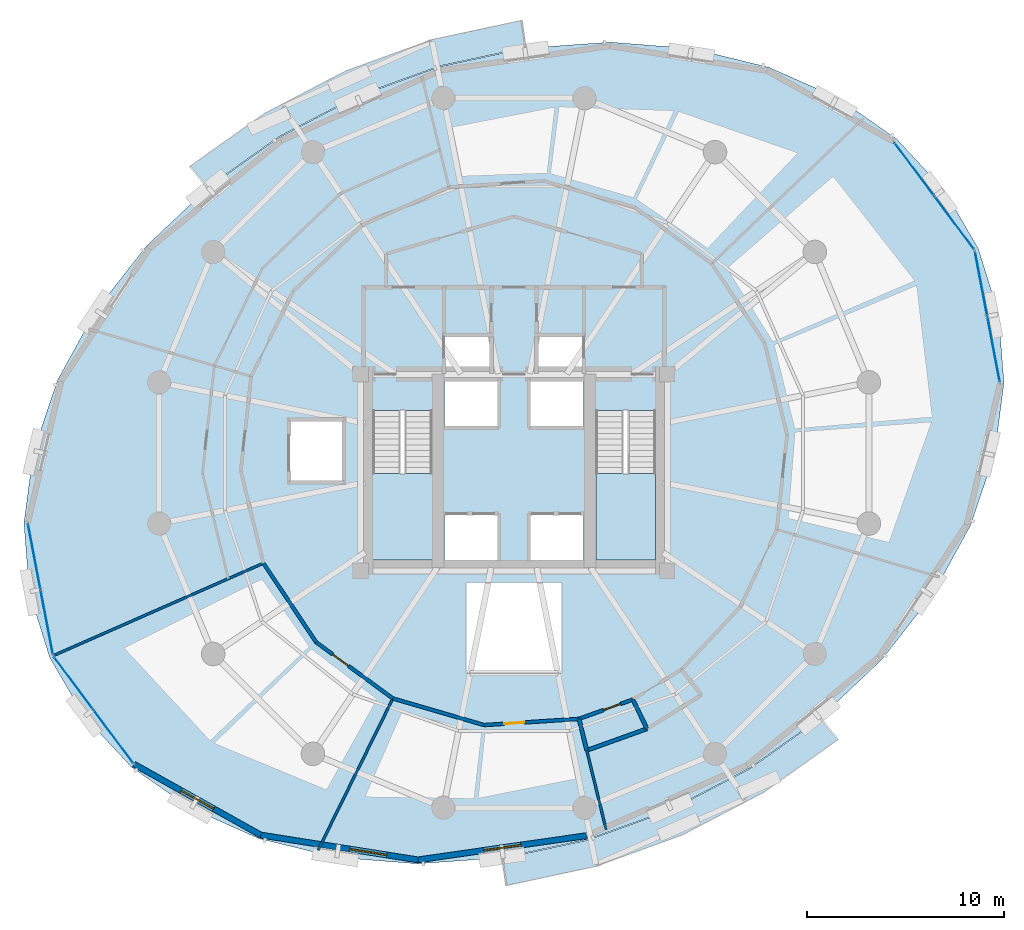
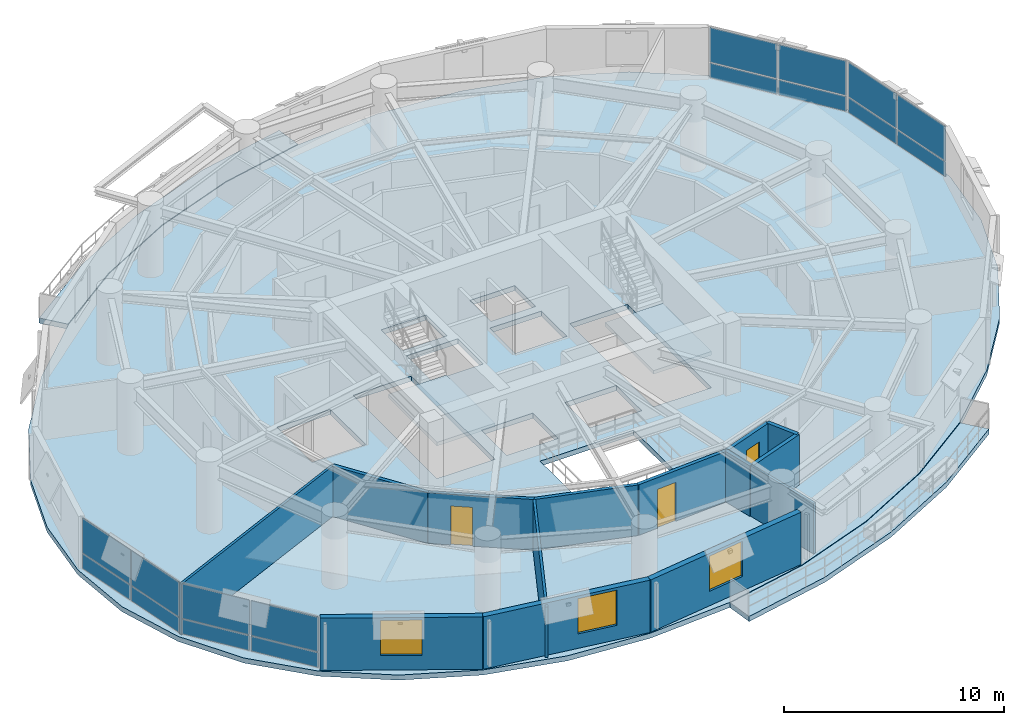
# One storey, part 9 of 14: 16 plates, 14 walls, 5 slabs, 3 doors, 3 windows, 6 openings, 6 elements without a shape of their own.
"""IFC4 building model written with IfcOpenShell, lengths in metres."""

import ifcopenshell
import ifcopenshell.guid

model = None  # the IFC model being written
_history = None  # IfcOwnerHistory: only IFC2X3 demands one
_inside = {}  # id of a spatial element -> (the spatial element, [elements in it])
_under = {}  # id of a project, library or spatial element -> (it, [spatial elements below it])
_declared = {}  # id of a project -> (the project, [libraries it declares])
_typed = {}  # id of a type object -> (the type object, [elements of that type])
_made_of = {}  # id of a material, layer set ... -> (it, [elements and type objects made of it])


def new_model(schema):
    """Start an empty IFC model of exactly this schema.

    Asked for "IFC4X3", IfcOpenShell would pick the latest addendum, in which some entities
    have other attributes; the version numbers below select the first issue.
    IFC2X3 requires an IfcOwnerHistory on every rooted entity: one is made here for all.
    """
    global model, _history
    if schema == "IFC4X3":
        model = ifcopenshell.file(schema_version=(4, 3, 0, 0))
    else:
        model = ifcopenshell.file(schema=schema)
    _inside.clear()
    _under.clear()
    _declared.clear()
    _typed.clear()
    _made_of.clear()
    _history = None
    if model.schema == "IFC2X3":
        org = make("IfcOrganization", Name="unknown")
        user = make(
            "IfcPersonAndOrganization",
            ThePerson=make("IfcPerson", FamilyName="unknown"),
            TheOrganization=org,
        )
        app = make(
            "IfcApplication",
            ApplicationDeveloper=org,
            Version="unknown",
            ApplicationFullName="unknown",
            ApplicationIdentifier="unknown",
        )
        _history = make(
            "IfcOwnerHistory",
            OwningUser=user,
            OwningApplication=app,
            ChangeAction="ADDED",
            CreationDate=0,
        )
    return model


def make(cls, **values):
    """One entity of the class cls with the attributes given. An attribute that is None is left unset."""
    return model.create_entity(
        cls, **{name: value for name, value in values.items() if value is not None}
    )


def rooted(cls, **values):
    """An entity with a GlobalId (a new one), such as an element, a storey or a relation."""
    return make(cls, GlobalId=ifcopenshell.guid.new(), OwnerHistory=_history, **values)


def si_unit(unit_type, name, prefix=None):
    """IfcSIUnit, for example si_unit("LENGTHUNIT", "METRE", prefix="MILLI")."""
    return make("IfcSIUnit", UnitType=unit_type, Prefix=prefix, Name=name)


def assignment(units):
    """IfcUnitAssignment: the units of a project."""
    return None if units is None else make("IfcUnitAssignment", Units=units)


def point(xyz):
    """IfcCartesianPoint."""
    return None if xyz is None else make("IfcCartesianPoint", Coordinates=xyz)


def direction(xyz):
    """IfcDirection."""
    return None if xyz is None else make("IfcDirection", DirectionRatios=xyz)


def frame(location, z_axis=None, x_axis=None):
    """IfcAxis2Placement3D, a coordinate frame: its origin and axes. An axis left out is left unset."""
    return make(
        "IfcAxis2Placement3D",
        Location=point(location),
        Axis=direction(z_axis),
        RefDirection=direction(x_axis),
    )


def frame_2d(location, x_axis=None):
    """IfcAxis2Placement2D, a coordinate frame in the plane: its origin and x axis."""
    return make(
        "IfcAxis2Placement2D", Location=point(location), RefDirection=direction(x_axis)
    )


def origin():
    """The frame at (0, 0, 0) with its axes left unset."""
    return frame((0.0, 0.0, 0.0))


def origin_2d():
    """The frame at (0, 0) in the plane with its x axis left unset."""
    return frame_2d((0.0, 0.0))


def place(relative_to, where):
    """IfcLocalPlacement: puts the frame where relative to a parent placement (None: the world)."""
    return make(
        "IfcLocalPlacement", PlacementRelTo=relative_to, RelativePlacement=where
    )


def context(
    kind, dimensions, precision=None, world=None, true_north=None, identifier=None
):
    """IfcGeometricRepresentationContext, for example the 3D "Model" context."""
    return make(
        "IfcGeometricRepresentationContext",
        ContextIdentifier=identifier,
        ContextType=kind,
        CoordinateSpaceDimension=dimensions,
        Precision=precision,
        WorldCoordinateSystem=world,
        TrueNorth=true_north,
    )


def subcontext(parent, identifier, kind, view, scale=None):
    """IfcGeometricRepresentationSubContext, for example "Body" below "Model"."""
    return make(
        "IfcGeometricRepresentationSubContext",
        ContextIdentifier=identifier,
        ContextType=kind,
        ParentContext=parent,
        TargetScale=scale,
        TargetView=view,
    )


def project(units=None, contexts=None):
    """IfcProject with its units and contexts."""
    return rooted(
        "IfcProject",
        Name="project",
        RepresentationContexts=contexts,
        UnitsInContext=assignment(units),
    )


def spatial(cls, under=None, at=None, **own):
    """A site, building, storey or space (cls), placed at a placement, below another one or the project."""
    s = rooted(cls, ObjectPlacement=at, **own)
    if under is not None:
        _under.setdefault(under.id(), (under, []))[1].append(s)
    return s


def polyline(points):
    """IfcPolyline through the points."""
    return make("IfcPolyline", Points=[point(p) for p in points])


def profile(cls, at=None, kind="AREA", **sizes):
    """A parametric profile (cls). Its sizes go by their IFC names, for example OverallWidth=200.0."""
    return make(cls, ProfileType=kind, Position=at, **sizes)


def rectangle(**sizes):
    """IfcRectangleProfileDef."""
    return profile("IfcRectangleProfileDef", **sizes)


def outline(outer, holes=None, kind="AREA"):
    """IfcArbitraryClosedProfileDef: a profile drawn as a closed curve; with holes, ...WithVoids."""
    if holes is None:
        return make("IfcArbitraryClosedProfileDef", ProfileType=kind, OuterCurve=outer)
    return make(
        "IfcArbitraryProfileDefWithVoids",
        ProfileType=kind,
        OuterCurve=outer,
        InnerCurves=holes,
    )


def extrude(swept, where, along, depth):
    """IfcExtrudedAreaSolid: the profile swept, set in the frame where, extruded along a direction by depth."""
    return make(
        "IfcExtrudedAreaSolid",
        SweptArea=swept,
        Position=where,
        ExtrudedDirection=direction(along),
        Depth=depth,
    )


def shape(context_of_items, identifier, shape_type, items):
    """IfcShapeRepresentation: the items that make up one representation, for example the "Body"."""
    return make(
        "IfcShapeRepresentation",
        ContextOfItems=context_of_items,
        RepresentationIdentifier=identifier,
        RepresentationType=shape_type,
        Items=items,
    )


def material(Name=None, Category=None):
    """IfcMaterial."""
    return make("IfcMaterial", Name=Name, Category=Category)


def layer(
    of_material, thickness, ventilated=None, Name=None, Category=None, Priority=None
):
    """IfcMaterialLayer: one layer of a wall or slab, of a material (None: an air gap)."""
    return make(
        "IfcMaterialLayer",
        Material=of_material,
        LayerThickness=thickness,
        IsVentilated=ventilated,
        Name=Name,
        Category=Category,
        Priority=Priority,
    )


def layer_set(layers, Name=None):
    """IfcMaterialLayerSet."""
    return make("IfcMaterialLayerSet", MaterialLayers=layers, LayerSetName=Name)


def made_of(thing, what):
    """Note that an element or type object is made of a material, layer set ...; save() writes the relation."""
    if what is not None:
        _made_of.setdefault(what.id(), (what, []))[1].append(thing)
    return thing


def type_object(cls, material=None, **own):
    """A type object (cls), such as IfcWallType, which elements share."""
    return made_of(rooted(cls, **own), material)


def element(
    cls,
    number,
    at=None,
    inside=None,
    cuts=None,
    type_object=None,
    material=None,
    context=None,
    identifier="Body",
    shape_type=None,
    held_by="IfcProductDefinitionShape",
    body=None,
    shapes=None,
    **own,
):
    """One element of the class cls, such as IfcWall. Its Tag is "e" and its number.

    at: its placement. inside: the storey or other place that contains it. cuts: it is an
    opening in that element (IfcRelVoidsElement). A single representation is given by context,
    identifier, shape_type and body (its items); several are given by shapes. held_by: the class
    of the entity that holds the representations. save() writes the other relations.
    """
    e = rooted(cls, Tag="e%d" % number, ObjectPlacement=at, **own)
    if body is not None:
        shapes = [shape(context, identifier, shape_type, body)]
    if shapes is not None:
        e.Representation = make(held_by, Representations=shapes)
    if inside is not None:
        _inside.setdefault(inside.id(), (inside, []))[1].append(e)
    if cuts is not None:
        rooted(
            "IfcRelVoidsElement", RelatingBuildingElement=cuts, RelatedOpeningElement=e
        )
    if type_object is not None:
        _typed.setdefault(type_object.id(), (type_object, []))[1].append(e)
    return made_of(e, material)


def fill(opening, filler):
    """IfcRelFillsElement: the door or window that sits in an opening."""
    return rooted(
        "IfcRelFillsElement",
        RelatingOpeningElement=opening,
        RelatedBuildingElement=filler,
    )


def aggregate(whole, parts):
    """IfcRelAggregates: a whole, such as a stair, and the parts it consists of."""
    return rooted("IfcRelAggregates", RelatingObject=whole, RelatedObjects=parts)


def save(model, path):
    """Write the relations noted so far, then the file.

    IfcRelAggregates (storeys below a building ...), IfcRelContainedInSpatialStructure (elements
    in a storey), IfcRelDefinesByType, IfcRelAssociatesMaterial and IfcRelDeclares: one each for
    every whole, place, type object, material and project.
    """
    for whole, parts in _under.values():
        aggregate(whole, parts)
    for where, things in _inside.values():
        rooted(
            "IfcRelContainedInSpatialStructure",
            RelatedElements=things,
            RelatingStructure=where,
        )
    for kind, things in _typed.values():
        rooted("IfcRelDefinesByType", RelatedObjects=things, RelatingType=kind)
    for what, things in _made_of.values():
        rooted("IfcRelAssociatesMaterial", RelatedObjects=things, RelatingMaterial=what)
    for by, libraries in _declared.values():
        rooted("IfcRelDeclares", RelatingContext=by, RelatedDefinitions=libraries)
    model.write(path)


model = new_model("IFC4")

# Units and contexts
model_context = context("Model", 3, precision=1e-05, world=origin(), true_north=direction((0.0, 1.0)))
body_context = subcontext(model_context, "Body", "Model", "MODEL_VIEW")
ifc_project = project(units=[si_unit("LENGTHUNIT", "METRE"), si_unit("AREAUNIT", "SQUARE_METRE"), si_unit("VOLUMEUNIT", "CUBIC_METRE"), si_unit("PLANEANGLEUNIT", "RADIAN"), si_unit("MASSUNIT", "GRAM", prefix="KILO"), si_unit("THERMODYNAMICTEMPERATUREUNIT", "KELVIN"), si_unit("POWERUNIT", "WATT")], contexts=[model_context])

# Site, building, storey
site_placement = place(None, origin())
site = spatial("IfcSite", under=ifc_project, at=site_placement, CompositionType="ELEMENT")
building_placement = place(site_placement, origin())
building = spatial("IfcBuilding", under=site, at=building_placement, Name="Ocrelia Relay Tower", CompositionType="ELEMENT")
storey_placement = place(building_placement, frame((0.0, 0.0, 133.800048828125)))
storey = spatial("IfcBuildingStorey", under=building, at=storey_placement, Name="L31", CompositionType="ELEMENT", Elevation=133.800048828125)

# Curtain wall, plates
ifc_material_1 = material(Name="Aluminium and solar-control low-E glass", Category="aluminium")
ifc_layer_1 = layer(ifc_material_1, 0.179931640625, Name="Aluminium and solar-control low-E glass")
ifc_layer_set_1 = layer_set([ifc_layer_1], Name="Aluminium and solar-control low-E glass")
curtain_wall_type = type_object("IfcCurtainWallType", Name="CW-SYS-Z2-SWIT", PredefinedType="NOTDEFINED", material=ifc_layer_set_1)
curtain_wall_1_placement = place(storey_placement, origin())
curtain_wall_1 = element("IfcCurtainWall", 1, at=curtain_wall_1_placement, inside=storey, type_object=curtain_wall_type, Name="L31 Elliptical Tower Curtain Wall Bay 01", PredefinedType="NOTDEFINED")
ifc_material_2 = material(Name="Clear double-glazed low-E glass", Category="glass")
ifc_layer_2 = layer(ifc_material_2, 0.031982421875, Name="Clear double-glazed low-E glass")
ifc_layer_set_2 = layer_set([ifc_layer_2], Name="Clear double-glazed low-E glass")
plate_type = type_object("IfcPlateType", Name="CW-SYS-Z2-SWIT-PNL", PredefinedType="CURTAIN_PANEL", material=ifc_layer_set_2)
plate_1_placement = place(storey_placement, frame((56.393310546875, 37.702880859375, 0.059814453125), z_axis=(0.0, 0.0, 1.0), x_axis=(-0.597897658661, 0.801572448234, 0.0)))
plate_1 = element("IfcPlate", 2, at=plate_1_placement, type_object=plate_type, Name="CW-Z2 panel 1.1", PredefinedType="CURTAIN_PANEL", context=body_context, shape_type="SweptSolid", body=[
    extrude(rectangle(XDim=3.33447265625, YDim=0.031982421875, at=origin_2d()), origin(), (0.0, 0.0, 1.0), 0.81005859375),
])
plate_2_placement = place(storey_placement, frame((56.393310546875, 37.702880859375, 0.93017578125), z_axis=(0.0, 0.0, 1.0), x_axis=(-0.597897658661, 0.801572448234, 0.0)))
plate_2 = element("IfcPlate", 3, at=plate_2_placement, type_object=plate_type, Name="CW-Z2 panel 1.2", PredefinedType="CURTAIN_PANEL", context=body_context, shape_type="SweptSolid", body=[
    extrude(rectangle(XDim=3.33447265625, YDim=0.031982421875, at=origin_2d()), origin(), (0.0, 0.0, 1.0), 1.909912109375),
])
plate_3_placement = place(storey_placement, frame((54.357666015625, 40.431884765625, 0.059814453125), z_axis=(0.0, 0.0, 1.0), x_axis=(-0.597897658661, 0.801572448234, 0.0)))
plate_3 = element("IfcPlate", 4, at=plate_3_placement, type_object=plate_type, Name="CW-Z2 panel 2.1", PredefinedType="CURTAIN_PANEL", context=body_context, shape_type="SweptSolid", body=[
    extrude(rectangle(XDim=3.33447265625, YDim=0.031982421875, at=origin_2d()), origin(), (0.0, 0.0, 1.0), 0.81005859375),
])
plate_4_placement = place(storey_placement, frame((54.357666015625, 40.431884765625, 0.93017578125), z_axis=(0.0, 0.0, 1.0), x_axis=(-0.597897658661, 0.801572448234, 0.0)))
plate_4 = element("IfcPlate", 5, at=plate_4_placement, type_object=plate_type, Name="CW-Z2 panel 2.2", PredefinedType="CURTAIN_PANEL", context=body_context, shape_type="SweptSolid", body=[
    extrude(rectangle(XDim=3.33447265625, YDim=0.031982421875, at=origin_2d()), origin(), (0.0, 0.0, 1.0), 1.909912109375),
])
aggregate(curtain_wall_1, [plate_1, plate_2, plate_3, plate_4])

curtain_wall_2_placement = place(storey_placement, origin())
curtain_wall_2 = element("IfcCurtainWall", 6, at=curtain_wall_2_placement, inside=storey, type_object=curtain_wall_type, Name="L31 Elliptical Tower Curtain Wall Bay 09", PredefinedType="NOTDEFINED")
plate_5_placement = place(storey_placement, frame((9.606201171875, 20.74072265625, 0.059814453125), z_axis=(0.0, 0.0, 1.0), x_axis=(0.187044640292, -0.982351414993, 0.0)))
plate_5 = element("IfcPlate", 7, at=plate_5_placement, type_object=plate_type, Name="CW-Z2 panel 1.1", PredefinedType="CURTAIN_PANEL", context=body_context, shape_type="SweptSolid", body=[
    extrude(rectangle(XDim=3.33447265625, YDim=0.031982421875, at=origin_2d()), origin(), (0.0, 0.0, 1.0), 0.81005859375),
])
plate_6_placement = place(storey_placement, frame((9.606201171875, 20.74072265625, 0.93017578125), z_axis=(0.0, 0.0, 1.0), x_axis=(0.187044640292, -0.982351414993, 0.0)))
plate_6 = element("IfcPlate", 8, at=plate_6_placement, type_object=plate_type, Name="CW-Z2 panel 1.2", PredefinedType="CURTAIN_PANEL", context=body_context, shape_type="SweptSolid", body=[
    extrude(rectangle(XDim=3.33447265625, YDim=0.031982421875, at=origin_2d()), origin(), (0.0, 0.0, 1.0), 1.909912109375),
])
plate_7_placement = place(storey_placement, frame((10.2431640625, 17.396240234375, 0.059814453125), z_axis=(0.0, 0.0, 1.0), x_axis=(0.187044640292, -0.982351414993, 0.0)))
plate_7 = element("IfcPlate", 9, at=plate_7_placement, type_object=plate_type, Name="CW-Z2 panel 2.1", PredefinedType="CURTAIN_PANEL", context=body_context, shape_type="SweptSolid", body=[
    extrude(rectangle(XDim=3.33447265625, YDim=0.031982421875, at=origin_2d()), origin(), (0.0, 0.0, 1.0), 0.81005859375),
])
plate_8_placement = place(storey_placement, frame((10.2431640625, 17.396240234375, 0.93017578125), z_axis=(0.0, 0.0, 1.0), x_axis=(0.187044640292, -0.982351414993, 0.0)))
plate_8 = element("IfcPlate", 10, at=plate_8_placement, type_object=plate_type, Name="CW-Z2 panel 2.2", PredefinedType="CURTAIN_PANEL", context=body_context, shape_type="SweptSolid", body=[
    extrude(rectangle(XDim=3.33447265625, YDim=0.031982421875, at=origin_2d()), origin(), (0.0, 0.0, 1.0), 1.909912109375),
])
aggregate(curtain_wall_2, [plate_5, plate_6, plate_7, plate_8])

curtain_wall_3_placement = place(storey_placement, origin())
curtain_wall_3 = element("IfcCurtainWall", 11, at=curtain_wall_3_placement, inside=storey, type_object=curtain_wall_type, Name="L31 Elliptical Tower Curtain Wall Bay 10", PredefinedType="NOTDEFINED")
plate_9_placement = place(storey_placement, frame((11.606689453125, 14.297119140625, 0.059814453125), z_axis=(0.0, 0.0, 1.0), x_axis=(0.597897658661, -0.801572448234, 0.0)))
plate_9 = element("IfcPlate", 12, at=plate_9_placement, type_object=plate_type, Name="CW-Z2 panel 1.1", PredefinedType="CURTAIN_PANEL", context=body_context, shape_type="SweptSolid", body=[
    extrude(rectangle(XDim=3.33447265625, YDim=0.031982421875, at=origin_2d()), origin(), (0.0, 0.0, 1.0), 0.81005859375),
])
plate_10_placement = place(storey_placement, frame((11.606689453125, 14.297119140625, 0.93017578125), z_axis=(0.0, 0.0, 1.0), x_axis=(0.597897658661, -0.801572448234, 0.0)))
plate_10 = element("IfcPlate", 13, at=plate_10_placement, type_object=plate_type, Name="CW-Z2 panel 1.2", PredefinedType="CURTAIN_PANEL", context=body_context, shape_type="SweptSolid", body=[
    extrude(rectangle(XDim=3.33447265625, YDim=0.031982421875, at=origin_2d()), origin(), (0.0, 0.0, 1.0), 1.909912109375),
])
plate_11_placement = place(storey_placement, frame((13.642333984375, 11.568115234375, 0.059814453125), z_axis=(0.0, 0.0, 1.0), x_axis=(0.597897658661, -0.801572448234, 0.0)))
plate_11 = element("IfcPlate", 14, at=plate_11_placement, type_object=plate_type, Name="CW-Z2 panel 2.1", PredefinedType="CURTAIN_PANEL", context=body_context, shape_type="SweptSolid", body=[
    extrude(rectangle(XDim=3.33447265625, YDim=0.031982421875, at=origin_2d()), origin(), (0.0, 0.0, 1.0), 0.81005859375),
])
plate_12_placement = place(storey_placement, frame((13.642333984375, 11.568115234375, 0.93017578125), z_axis=(0.0, 0.0, 1.0), x_axis=(0.597897658661, -0.801572448234, 0.0)))
plate_12 = element("IfcPlate", 15, at=plate_12_placement, type_object=plate_type, Name="CW-Z2 panel 2.2", PredefinedType="CURTAIN_PANEL", context=body_context, shape_type="SweptSolid", body=[
    extrude(rectangle(XDim=3.33447265625, YDim=0.031982421875, at=origin_2d()), origin(), (0.0, 0.0, 1.0), 1.909912109375),
])
aggregate(curtain_wall_3, [plate_9, plate_10, plate_11, plate_12])

curtain_wall_4_placement = place(storey_placement, origin())
curtain_wall_4 = element("IfcCurtainWall", 16, at=curtain_wall_4_placement, inside=storey, type_object=curtain_wall_type, Name="L31 Elliptical Tower Curtain Wall Bay 18", PredefinedType="NOTDEFINED")
plate_13_placement = place(storey_placement, frame((58.393798828125, 31.25927734375, 0.059814453125), z_axis=(0.0, 0.0, 1.0), x_axis=(-0.187044640292, 0.982351414993, 0.0)))
plate_13 = element("IfcPlate", 17, at=plate_13_placement, type_object=plate_type, Name="CW-Z2 panel 1.1", PredefinedType="CURTAIN_PANEL", context=body_context, shape_type="SweptSolid", body=[
    extrude(rectangle(XDim=3.33447265625, YDim=0.031982421875, at=origin_2d()), origin(), (0.0, 0.0, 1.0), 0.81005859375),
])
plate_14_placement = place(storey_placement, frame((58.393798828125, 31.25927734375, 0.93017578125), z_axis=(0.0, 0.0, 1.0), x_axis=(-0.187044640292, 0.982351414993, 0.0)))
plate_14 = element("IfcPlate", 18, at=plate_14_placement, type_object=plate_type, Name="CW-Z2 panel 1.2", PredefinedType="CURTAIN_PANEL", context=body_context, shape_type="SweptSolid", body=[
    extrude(rectangle(XDim=3.33447265625, YDim=0.031982421875, at=origin_2d()), origin(), (0.0, 0.0, 1.0), 1.909912109375),
])
plate_15_placement = place(storey_placement, frame((57.7568359375, 34.603759765625, 0.059814453125), z_axis=(0.0, 0.0, 1.0), x_axis=(-0.187044640292, 0.982351414993, 0.0)))
plate_15 = element("IfcPlate", 19, at=plate_15_placement, type_object=plate_type, Name="CW-Z2 panel 2.1", PredefinedType="CURTAIN_PANEL", context=body_context, shape_type="SweptSolid", body=[
    extrude(rectangle(XDim=3.33447265625, YDim=0.031982421875, at=origin_2d()), origin(), (0.0, 0.0, 1.0), 0.81005859375),
])
plate_16_placement = place(storey_placement, frame((57.7568359375, 34.603759765625, 0.93017578125), z_axis=(0.0, 0.0, 1.0), x_axis=(-0.187044640292, 0.982351414993, 0.0)))
plate_16 = element("IfcPlate", 20, at=plate_16_placement, type_object=plate_type, Name="CW-Z2 panel 2.2", PredefinedType="CURTAIN_PANEL", context=body_context, shape_type="SweptSolid", body=[
    extrude(rectangle(XDim=3.33447265625, YDim=0.031982421875, at=origin_2d()), origin(), (0.0, 0.0, 1.0), 1.909912109375),
])
aggregate(curtain_wall_4, [plate_13, plate_14, plate_15, plate_16])

# Slabs
ifc_material_3 = material(Name="Precast concrete C40/50", Category="concrete")
ifc_layer_3 = layer(ifc_material_3, 0.280029296875, Name="Precast concrete C40/50")
ifc_layer_set_3 = layer_set([ifc_layer_3], Name="Precast concrete C40/50")
slab_type_1 = type_object("IfcSlabType", Name="SL-BALC-280", PredefinedType="FLOOR", material=ifc_layer_set_3)
slab_1_placement = place(storey_placement, frame((0.0, 0.0, -0.280029296875)))
element("IfcSlab", 21, at=slab_1_placement, inside=storey, type_object=slab_type_1, Name="L31 Planted Loggia Balcony B1", PredefinedType="FLOOR", context=body_context, shape_type="SweptSolid", body=[
    extrude(outline(polyline([(34.5791015625, 46.614013671875), (32.4091796875, 46.1474609375), (30.2392578125, 45.68115234375), (26.013427734375, 44.150634765625), (22.030517578125, 42.069091796875), (20.220458984375, 40.7841796875), (18.41064453125, 39.49951171875), (17.52587890625, 40.576171875), (19.414306640625, 41.916748046875), (21.302734375, 43.25732421875), (25.452392578125, 45.42578125), (29.854736328125, 47.020263671875), (32.118896484375, 47.5068359375), (34.3828125, 47.993408203125), (34.5791015625, 46.614013671875)])), origin(), (0.0, 0.0, 1.0), 0.280029296875),
])
slab_2_placement = place(storey_placement, frame((0.0, 0.0, -0.280029296875)))
element("IfcSlab", 22, at=slab_2_placement, inside=storey, type_object=slab_type_1, Name="L31 Planted Loggia Balcony B2", PredefinedType="FLOOR", context=body_context, shape_type="SweptSolid", body=[
    extrude(outline(polyline([(33.4208984375, 5.385986328125), (35.5908203125, 5.8525390625), (37.7607421875, 6.31884765625), (41.986572265625, 7.849365234375), (45.969482421875, 9.930908203125), (47.779541015625, 11.2158203125), (49.58935546875, 12.50048828125), (50.47412109375, 11.423828125), (48.585693359375, 10.083251953125), (46.697265625, 8.74267578125), (42.547607421875, 6.57421875), (38.145263671875, 4.979736328125), (35.881103515625, 4.4931640625), (33.6171875, 4.006591796875), (33.4208984375, 5.385986328125)])), origin(), (0.0, 0.0, 1.0), 0.280029296875),
])
ifc_material_4 = material(Name="Concrete C50/60", Category="concrete")
ifc_layer_4 = layer(ifc_material_4, 0.280029296875, Name="Concrete C50/60")
ifc_layer_set_4 = layer_set([ifc_layer_4], Name="Concrete C50/60")
slab_type_2 = type_object("IfcSlabType", Name="SL-FLR-280", PredefinedType="FLOOR", material=ifc_layer_set_4)
slab_3_placement = place(storey_placement, frame((0.0, 0.0, -0.280029296875)))
element("IfcSlab", 23, at=slab_3_placement, inside=storey, type_object=slab_type_2, Name="L31 Elliptical Tower Floor Slab", PredefinedType="FLOOR", context=body_context, shape_type="SweptSolid", body=[
    extrude(outline(polyline([(57.614990234375, 36.390869140625), (55.87158203125, 39.380126953125), (53.46337890625, 41.962646484375), (50.464111328125, 44.060302734375), (46.96435546875, 45.609130859375), (43.07080078125, 46.562255859375), (38.901611328125, 46.890625), (34.583251953125, 46.583984375), (30.24755859375, 45.652099609375), (26.025634765625, 44.123291015625), (22.046142578125, 42.04345703125), (18.4296875, 39.476318359375), (15.28662109375, 36.499755859375), (12.7119140625, 33.2041015625), (10.783935546875, 29.689453125), (9.5615234375, 26.062744140625), (9.081787109375, 22.434326171875), (9.35888671875, 18.9140625), (10.385009765625, 15.609130859375), (12.12841796875, 12.619873046875), (14.53662109375, 10.037353515625), (17.535888671875, 7.939697265625), (21.03564453125, 6.390869140625), (24.92919921875, 5.437744140625), (29.098388671875, 5.109375), (33.416748046875, 5.416015625), (37.75244140625, 6.347900390625), (41.974365234375, 7.876708984375), (45.953857421875, 9.95654296875), (49.5703125, 12.523681640625), (52.71337890625, 15.500244140625), (55.2880859375, 18.7958984375), (57.216064453125, 22.310546875), (58.4384765625, 25.937255859375), (58.918212890625, 29.565673828125), (58.64111328125, 33.0859375), (57.614990234375, 36.390869140625)]), holes=[polyline([(26.81005859375, 28.14990234375), (26.81005859375, 20.550048828125), (29.85009765625, 20.550048828125), (29.85009765625, 28.14990234375), (26.81005859375, 28.14990234375)]), polyline([(38.159912109375, 28.14990234375), (38.159912109375, 20.550048828125), (41.199951171875, 20.550048828125), (41.199951171875, 28.14990234375), (38.159912109375, 28.14990234375)]), polyline([(30.4599609375, 20.550048828125), (33.159912109375, 20.550048828125), (33.159912109375, 22.85009765625), (30.4599609375, 22.85009765625), (30.4599609375, 20.550048828125)]), polyline([(34.840087890625, 20.550048828125), (37.5400390625, 20.550048828125), (37.5400390625, 22.85009765625), (34.840087890625, 22.85009765625), (34.840087890625, 20.550048828125)]), polyline([(30.4599609375, 27.35009765625), (33.159912109375, 27.35009765625), (33.159912109375, 29.64990234375), (30.4599609375, 29.64990234375), (30.4599609375, 27.35009765625)]), polyline([(34.840087890625, 27.35009765625), (37.5400390625, 27.35009765625), (37.5400390625, 29.64990234375), (34.840087890625, 29.64990234375), (34.840087890625, 27.35009765625)]), polyline([(30.5, 30.10009765625), (32.85009765625, 30.10009765625), (32.85009765625, 32.0), (30.5, 32.0), (30.5, 30.10009765625)]), polyline([(35.14990234375, 30.10009765625), (37.5, 30.10009765625), (37.5, 32.0), (35.14990234375, 32.0), (35.14990234375, 30.10009765625)]), polyline([(22.550048828125, 24.5), (25.35009765625, 24.5), (25.35009765625, 27.699951171875), (22.550048828125, 27.699951171875), (22.550048828125, 24.5)]), polyline([(31.550048828125, 14.800048828125), (36.449951171875, 14.800048828125), (36.449951171875, 19.39990234375), (31.550048828125, 19.39990234375), (31.550048828125, 14.800048828125)])]), origin(), (0.0, 0.0, 1.0), 0.280029296875),
])

# Stair, slab
stair_type = type_object("IfcStairType", Name="ST-DL-1420-R167", PredefinedType="HALF_TURN_STAIR", material=ifc_material_4)
stair_1_placement = place(storey_placement, origin())
stair_1 = element("IfcStair", 24, at=stair_1_placement, inside=storey, type_object=stair_type, Name="L31 West Core Exit Stair ST1", PredefinedType="HALF_TURN_STAIR")
ifc_layer_5 = layer(ifc_material_4, 0.199951171875, Name="Concrete C50/60")
ifc_layer_set_5 = layer_set([ifc_layer_5], Name="Concrete C50/60")
slab_type_3 = type_object("IfcSlabType", Name="SL-LANDING-200", PredefinedType="LANDING", material=ifc_layer_set_5)
slab_4_placement = place(storey_placement, frame((0.0, 0.0, 1.800048828125)))
slab_4 = element("IfcSlab", 25, at=slab_4_placement, type_object=slab_type_3, Name="ST1 landing 1", PredefinedType="LANDING", context=body_context, shape_type="SweptSolid", body=[
    extrude(outline(polyline([(26.81005859375, 24.9599609375), (26.81005859375, 20.550048828125), (29.85009765625, 20.550048828125), (29.85009765625, 24.9599609375), (26.81005859375, 24.9599609375)])), origin(), (0.0, 0.0, 1.0), 0.199951171875),
])
aggregate(stair_1, [slab_4])

stair_2_placement = place(storey_placement, origin())
stair_2 = element("IfcStair", 26, at=stair_2_placement, inside=storey, type_object=stair_type, Name="L31 East Core Exit Stair ST2", PredefinedType="HALF_TURN_STAIR")
slab_5_placement = place(storey_placement, frame((0.0, 0.0, 1.800048828125)))
slab_5 = element("IfcSlab", 27, at=slab_5_placement, type_object=slab_type_3, Name="ST2 landing 1", PredefinedType="LANDING", context=body_context, shape_type="SweptSolid", body=[
    extrude(outline(polyline([(38.159912109375, 24.9599609375), (38.159912109375, 20.550048828125), (41.199951171875, 20.550048828125), (41.199951171875, 24.9599609375), (38.159912109375, 24.9599609375)])), origin(), (0.0, 0.0, 1.0), 0.199951171875),
])
aggregate(stair_2, [slab_5])

# Wall, opening, door
ifc_material_5 = material(Name="Gypsum Fireboard Partition EI60", Category="gypsum")
ifc_layer_6 = layer(ifc_material_5, 0.179931640625, Name="Gypsum Fireboard Partition EI60")
ifc_layer_set_6 = layer_set([ifc_layer_6], Name="Gypsum Fireboard Partition EI60")
wall_type_1 = type_object("IfcWallType", Name="W-CORR-EI60-180", PredefinedType="PARTITIONING", material=ifc_layer_set_6)
wall_1_placement = place(storey_placement, frame((37.30859375, 12.47900390625, 0.0), z_axis=(0.0, 0.0, 1.0), x_axis=(0.94117688469, 0.33791429642, 0.0)))
wall_1 = element("IfcWall", 28, at=wall_1_placement, inside=storey, type_object=wall_type_1, Name="L31 Staff Toilet Corridor Wall", PredefinedType="PARTITIONING", context=body_context, shape_type="SweptSolid", body=[
    extrude(rectangle(XDim=2.91015625, YDim=0.179931640625, at=frame_2d((1.455078125, 0.0))), origin(), (0.0, 0.0, 1.0), 2.800048828125),
])
opening_1_placement = place(wall_1_placement, frame((1.321044921875, 0.0, 0.0)))
opening_1 = element("IfcOpeningElement", 29, at=opening_1_placement, cuts=wall_1, Name="Opening D-WC92", PredefinedType="OPENING", context=body_context, shape_type="SweptSolid", body=[
    extrude(rectangle(XDim=0.919921875, YDim=2.10009765625, at=frame_2d((0.4599609375, 1.050048828125))), frame((0.0, 0.10009765625, 0.0), z_axis=(0.0, -1.0, 0.0), x_axis=(1.0, 0.0, 0.0)), (0.0, 0.0, 1.0), 0.199951171875),
])
ifc_material_6 = material(Name="Laminate washroom door", Category="wood")
door_type_1 = type_object("IfcDoorType", Name="DR-WC-920", OperationType="NOTDEFINED", PredefinedType="DOOR", material=ifc_material_6)
door_1_placement = place(opening_1_placement, origin())
door_1 = element("IfcDoor", 30, at=door_1_placement, inside=storey, type_object=door_type_1, Name="L31 Staff Toilet Door", OperationType="SINGLE_SWING_LEFT", OverallHeight=2.10009765625, OverallWidth=0.919921875, PredefinedType="DOOR", context=body_context, shape_type="SweptSolid", body=[
    extrude(rectangle(XDim=0.919921875, YDim=2.10009765625, at=frame_2d((0.4599609375, 1.050048828125))), frame((0.0, 0.02490234375, 0.0), z_axis=(0.0, -1.0, 0.0), x_axis=(1.0, 0.0, 0.0)), (0.0, 0.0, 1.0), 0.050048828125),
])
fill(opening_1, door_1)

# Wall
wall_2_placement = place(storey_placement, frame((21.2587890625, 20.393798828125, 0.0), z_axis=(0.0, 0.0, 1.0), x_axis=(0.555550637261, -0.831482705436, 0.0)))
element("IfcWall", 31, at=wall_2_placement, inside=storey, type_object=wall_type_1, Name="L31 Carrier Operations Office Corridor Partition 1", PredefinedType="PARTITIONING", context=body_context, shape_type="SweptSolid", body=[
    extrude(rectangle(XDim=4.83447265625, YDim=0.179931640625, at=frame_2d((2.417236328125, 0.0))), origin(), (0.0, 0.0, 1.0), 2.800048828125),
])

# Wall, opening, door
wall_3_placement = place(storey_placement, frame((23.944580078125, 16.3740234375, 0.0), z_axis=(0.0, 0.0, 1.0), x_axis=(0.806443526367, -0.591311118431, 0.0)))
wall_3 = element("IfcWall", 32, at=wall_3_placement, inside=storey, type_object=wall_type_1, Name="L31 Carrier Operations Office Corridor Partition 2", PredefinedType="PARTITIONING", context=body_context, shape_type="SweptSolid", body=[
    extrude(rectangle(XDim=4.83447265625, YDim=0.179931640625, at=frame_2d((2.417236328125, 0.0))), origin(), (0.0, 0.0, 1.0), 2.800048828125),
])
opening_2_placement = place(wall_3_placement, frame((1.03369140625, 0.0, 0.0)))
opening_2 = element("IfcOpeningElement", 33, at=opening_2_placement, cuts=wall_3, Name="Opening D-RM100", PredefinedType="OPENING", context=body_context, shape_type="SweptSolid", body=[
    extrude(rectangle(XDim=1.0, YDim=2.14990234375, at=frame_2d((0.5, 1.074951171875))), frame((0.0, 0.10009765625, 0.0), z_axis=(0.0, -1.0, 0.0), x_axis=(1.0, 0.0, 0.0)), (0.0, 0.0, 1.0), 0.199951171875),
])
ifc_material_7 = material(Name="Acoustic oak veneer fire door", Category="wood")
door_type_2 = type_object("IfcDoorType", Name="DR-ROOM-FD60-1000", OperationType="NOTDEFINED", PredefinedType="DOOR", material=ifc_material_7)
door_2_placement = place(opening_2_placement, origin())
door_2 = element("IfcDoor", 34, at=door_2_placement, inside=storey, type_object=door_type_2, Name="L31 Carrier Operations Office Entrance Door", OperationType="SINGLE_SWING_RIGHT", OverallHeight=2.14990234375, OverallWidth=1.0, PredefinedType="DOOR", context=body_context, shape_type="SweptSolid", body=[
    extrude(rectangle(XDim=1.0, YDim=2.14990234375, at=frame_2d((0.5, 1.074951171875))), frame((0.0, 0.02490234375, 0.0), z_axis=(0.0, -1.0, 0.0), x_axis=(1.0, 0.0, 0.0)), (0.0, 0.0, 1.0), 0.050048828125),
])
fill(opening_2, door_2)

# Wall
wall_4_placement = place(storey_placement, frame((27.84326171875, 13.515380859375, 0.0), z_axis=(0.0, 0.0, 1.0), x_axis=(0.9600525837, -0.279819650007, 0.0)))
element("IfcWall", 35, at=wall_4_placement, inside=storey, type_object=wall_type_1, Name="L31 Optical Telemetry Studio Corridor Partition 1", PredefinedType="PARTITIONING", context=body_context, shape_type="SweptSolid", body=[
    extrude(rectangle(XDim=4.83447265625, YDim=0.179931640625, at=frame_2d((2.417236328125, 0.0))), origin(), (0.0, 0.0, 1.0), 2.800048828125),
])

# Wall, opening, door
wall_5_placement = place(storey_placement, frame((32.484619140625, 12.16259765625, 0.0), z_axis=(0.0, 0.0, 1.0), x_axis=(0.997855867804, 0.065449729474, 0.0)))
wall_5 = element("IfcWall", 36, at=wall_5_placement, inside=storey, type_object=wall_type_1, Name="L31 Optical Telemetry Studio Corridor Partition 2", PredefinedType="PARTITIONING", context=body_context, shape_type="SweptSolid", body=[
    extrude(rectangle(XDim=4.834228515625, YDim=0.179931640625, at=frame_2d((2.4169921875, 0.0))), origin(), (0.0, 0.0, 1.0), 2.800048828125),
])
opening_3_placement = place(wall_5_placement, frame((1.03369140625, 0.0, 0.0)))
opening_3 = element("IfcOpeningElement", 37, at=opening_3_placement, cuts=wall_5, Name="Opening D-RM100", PredefinedType="OPENING", context=body_context, shape_type="SweptSolid", body=[
    extrude(rectangle(XDim=1.0, YDim=2.14990234375, at=frame_2d((0.5, 1.074951171875))), frame((0.0, 0.10009765625, 0.0), z_axis=(0.0, -1.0, 0.0), x_axis=(1.0, 0.0, 0.0)), (0.0, 0.0, 1.0), 0.199951171875),
])
door_3_placement = place(opening_3_placement, origin())
door_3 = element("IfcDoor", 38, at=door_3_placement, inside=storey, type_object=door_type_2, Name="L31 Optical Telemetry Studio Entrance Door", OperationType="SINGLE_SWING_LEFT", OverallHeight=2.14990234375, OverallWidth=1.0, PredefinedType="DOOR", context=body_context, shape_type="SweptSolid", body=[
    extrude(rectangle(XDim=1.0, YDim=2.14990234375, at=frame_2d((0.5, 1.074951171875))), frame((0.0, 0.02490234375, 0.0), z_axis=(0.0, -1.0, 0.0), x_axis=(1.0, 0.0, 0.0)), (0.0, 0.0, 1.0), 0.050048828125),
])
fill(opening_3, door_3)

# Wall, opening, window
ifc_material_8 = material(Name="Precast concrete C40/50 with oxide terracotta", Category="masonry")
ifc_layer_7 = layer(ifc_material_8, 0.300048828125, Name="Precast concrete C40/50 with oxide terracotta")
ifc_layer_set_7 = layer_set([ifc_layer_7], Name="Precast concrete C40/50 with oxide terracotta")
wall_type_2 = type_object("IfcWallType", Name="W-EXT-TERR-300", PredefinedType="SOLIDWALL", material=ifc_layer_set_7)
wall_6_placement = place(storey_placement, frame((14.680908203125, 10.175537109375, 0.0), z_axis=(0.0, 0.0, 1.0), x_axis=(0.872674562052, -0.488302271904, 0.0)))
wall_6 = element("IfcWall", 39, at=wall_6_placement, inside=storey, type_object=wall_type_2, Name="L31 Oxide Terracotta Facade Wall 11", PredefinedType="SOLIDWALL", context=body_context, shape_type="SweptSolid", body=[
    extrude(rectangle(XDim=7.38330078125, YDim=0.300048828125, at=frame_2d((3.691650390625, 0.0))), origin(), (0.0, 0.0, 1.0), 2.89990234375),
])
opening_4_placement = place(wall_6_placement, frame((2.741943359375, 0.0, 0.800048828125)))
opening_4 = element("IfcOpeningElement", 40, at=opening_4_placement, cuts=wall_6, Name="Opening W-06", PredefinedType="OPENING", context=body_context, shape_type="SweptSolid", body=[
    extrude(rectangle(XDim=1.89990234375, YDim=1.949951171875, at=frame_2d((0.949951171875, 0.97509765625))), frame((0.0, 0.16015625, 0.0), z_axis=(0.0, -1.0, 0.0), x_axis=(1.0, 0.0, 0.0)), (0.0, 0.0, 1.0), 0.320068359375),
])
window_type = type_object("IfcWindowType", Name="WIN-Z2-1900x2100", PartitioningType="DOUBLE_PANEL_VERTICAL", PredefinedType="WINDOW", material=ifc_material_2)
window_1_placement = place(opening_4_placement, origin())
window_1 = element("IfcWindow", 41, at=window_1_placement, inside=storey, type_object=window_type, Name="L31 Facade Module Window 11", OverallHeight=1.949951171875, OverallWidth=1.89990234375, PartitioningType="SINGLE_PANEL", PredefinedType="WINDOW", context=body_context, shape_type="SweptSolid", body=[
    extrude(rectangle(XDim=1.89990234375, YDim=1.949951171875, at=frame_2d((0.949951171875, 0.97509765625))), frame((0.0, 0.030029296875, 0.0), z_axis=(0.0, -1.0, 0.0), x_axis=(1.0, 0.0, 0.0)), (0.0, 0.0, 1.0), 0.06005859375),
])
fill(opening_4, window_1)

wall_7_placement = place(storey_placement, frame((21.1240234375, 6.5703125, 0.0), z_axis=(0.0, 0.0, 1.0), x_axis=(0.987774699815, -0.155888236905, 0.0)))
wall_7 = element("IfcWall", 42, at=wall_7_placement, inside=storey, type_object=wall_type_2, Name="L31 Oxide Terracotta Facade Wall 12", PredefinedType="SOLIDWALL", context=body_context, shape_type="SweptSolid", body=[
    extrude(rectangle(XDim=8.09521484375, YDim=0.300048828125, at=frame_2d((4.047607421875, 0.0))), origin(), (0.0, 0.0, 1.0), 2.89990234375),
])
opening_5_placement = place(wall_7_placement, frame((4.580078125, 0.0, 0.800048828125)))
opening_5 = element("IfcOpeningElement", 43, at=opening_5_placement, cuts=wall_7, Name="Opening W-06", PredefinedType="OPENING", context=body_context, shape_type="SweptSolid", body=[
    extrude(rectangle(XDim=1.89990234375, YDim=1.949951171875, at=frame_2d((0.949951171875, 0.97509765625))), frame((0.0, 0.16015625, 0.0), z_axis=(0.0, -1.0, 0.0), x_axis=(1.0, 0.0, 0.0)), (0.0, 0.0, 1.0), 0.320068359375),
])
window_2_placement = place(opening_5_placement, origin())
window_2 = element("IfcWindow", 44, at=window_2_placement, inside=storey, type_object=window_type, Name="L31 Facade Module Window 12", OverallHeight=1.949951171875, OverallWidth=1.89990234375, PartitioningType="SINGLE_PANEL", PredefinedType="WINDOW", context=body_context, shape_type="SweptSolid", body=[
    extrude(rectangle(XDim=1.89990234375, YDim=1.949951171875, at=frame_2d((0.949951171875, 0.97509765625))), frame((0.0, 0.030029296875, 0.0), z_axis=(0.0, -1.0, 0.0), x_axis=(1.0, 0.0, 0.0)), (0.0, 0.0, 1.0), 0.06005859375),
])
fill(opening_5, window_2)

wall_8_placement = place(storey_placement, frame((29.120361328125, 5.308349609375, 0.0), z_axis=(0.0, 0.0, 1.0), x_axis=(0.989832051035, 0.142241030455, 0.0)))
wall_8 = element("IfcWall", 45, at=wall_8_placement, inside=storey, type_object=wall_type_2, Name="L31 Oxide Terracotta Facade Wall 13", PredefinedType="SOLIDWALL", context=body_context, shape_type="SweptSolid", body=[
    extrude(rectangle(XDim=8.6728515625, YDim=0.300048828125, at=frame_2d((4.33642578125, 0.0))), origin(), (0.0, 0.0, 1.0), 2.89990234375),
])
opening_6_placement = place(wall_8_placement, frame((3.385986328125, 0.0, 0.800048828125)))
opening_6 = element("IfcOpeningElement", 46, at=opening_6_placement, cuts=wall_8, Name="Opening W-06", PredefinedType="OPENING", context=body_context, shape_type="SweptSolid", body=[
    extrude(rectangle(XDim=1.89990234375, YDim=1.949951171875, at=frame_2d((0.949951171875, 0.97509765625))), frame((0.0, 0.16015625, 0.0), z_axis=(0.0, -1.0, 0.0), x_axis=(1.0, 0.0, 0.0)), (0.0, 0.0, 1.0), 0.320068359375),
])
window_3_placement = place(opening_6_placement, origin())
window_3 = element("IfcWindow", 47, at=window_3_placement, inside=storey, type_object=window_type, Name="L31 Facade Module Window 13", OverallHeight=1.949951171875, OverallWidth=1.89990234375, PartitioningType="SINGLE_PANEL", PredefinedType="WINDOW", context=body_context, shape_type="SweptSolid", body=[
    extrude(rectangle(XDim=1.89990234375, YDim=1.949951171875, at=frame_2d((0.949951171875, 0.97509765625))), frame((0.0, 0.030029296875, 0.0), z_axis=(0.0, -1.0, 0.0), x_axis=(1.0, 0.0, 0.0)), (0.0, 0.0, 1.0), 0.06005859375),
])
fill(opening_6, window_3)

# Walls
ifc_material_9 = material(Name="Acoustic Fireboard Partition EI60", Category="gypsum")
ifc_layer_8 = layer(ifc_material_9, 0.125, Name="Acoustic Fireboard Partition EI60")
ifc_layer_set_8 = layer_set([ifc_layer_8], Name="Acoustic Fireboard Partition EI60")
wall_type_3 = type_object("IfcWallType", Name="W-PART-125", PredefinedType="PARTITIONING", material=ifc_layer_set_8)
wall_9_placement = place(storey_placement, frame((37.70068359375, 10.876220703125, 0.0), z_axis=(0.0, 0.0, 1.0), x_axis=(0.237705759154, -0.971337208216, 0.0)))
element("IfcWall", 48, at=wall_9_placement, inside=storey, type_object=wall_type_3, Name="L31 Fiber Patch Store Radial Partition", PredefinedType="PARTITIONING", context=body_context, shape_type="SweptSolid", body=[
    extrude(rectangle(XDim=4.153564453125, YDim=0.125, at=frame_2d((2.07666015625, 0.0))), origin(), (0.0, 0.0, 1.0), 2.800048828125),
])
wall_10_placement = place(storey_placement, frame((21.2587890625, 20.393798828125, 0.0), z_axis=(0.0, 0.0, 1.0), x_axis=(-0.915308559751, -0.402753324563, 0.0)))
element("IfcWall", 49, at=wall_10_placement, inside=storey, type_object=wall_type_3, Name="L31 Spares Utility Store Radial Partition", PredefinedType="PARTITIONING", context=body_context, shape_type="SweptSolid", body=[
    extrude(rectangle(XDim=11.679931640625, YDim=0.125, at=frame_2d((5.83984375, 0.0))), origin(), (0.0, 0.0, 1.0), 2.800048828125),
])
wall_11_placement = place(storey_placement, frame((27.84326171875, 13.515380859375, 0.0), z_axis=(0.0, 0.0, 1.0), x_axis=(-0.442281229031, -0.896876420945, 0.0)))
element("IfcWall", 50, at=wall_11_placement, inside=storey, type_object=wall_type_3, Name="L31 Carrier Operations Office Radial Partition", PredefinedType="PARTITIONING", context=body_context, shape_type="SweptSolid", body=[
    extrude(rectangle(XDim=8.604736328125, YDim=0.125, at=frame_2d((4.30224609375, 0.0))), origin(), (0.0, 0.0, 1.0), 2.800048828125),
])
ifc_material_10 = material(Name="Moisture-Resistant Fireboard Chase Wall EI60", Category="gypsum")
ifc_layer_9 = layer(ifc_material_10, 0.199951171875, Name="Moisture-Resistant Fireboard Chase Wall EI60")
ifc_layer_set_9 = layer_set([ifc_layer_9], Name="Moisture-Resistant Fireboard Chase Wall EI60")
wall_type_4 = type_object("IfcWallType", Name="W-PLUMB-200", PredefinedType="PLUMBINGWALL", material=ifc_layer_set_9)
for number, where, z_axis, x_axis, name in (
    (51, (37.30859375, 12.47900390625, 0.0), (0.0, 0.0, 1.0), (0.237623730315, -0.971357278653, 0.0), "L31 Staff Toilet Plumbing Radial Wall"),
    (52, (40.047607421875, 13.46240234375, 0.0), (0.0, 0.0, 1.0), (0.434384930354, -0.900727335147, 0.0), "L31 Staff Toilet Plumbing Radial Wall"),
):
    element("IfcWall", number, at=place(storey_placement, frame(where, z_axis=z_axis, x_axis=x_axis)), inside=storey, type_object=wall_type_4, Name=name, PredefinedType="PLUMBINGWALL", context=body_context, shape_type="SweptSolid", body=[
        extrude(rectangle(XDim=1.650146484375, YDim=0.199951171875, at=frame_2d((0.8251953125, 0.0))), origin(), (0.0, 0.0, 1.0), 2.800048828125),
    ])
wall_12_placement = place(storey_placement, frame((37.70068359375, 10.876220703125, 0.0), z_axis=(0.0, 0.0, 1.0), x_axis=(0.941189166768, 0.337880085767, 0.0)))
element("IfcWall", 53, at=wall_12_placement, inside=storey, type_object=wall_type_4, Name="L31 Staff Toilet Back Plumbing Wall", PredefinedType="PLUMBINGWALL", context=body_context, shape_type="SweptSolid", body=[
    extrude(rectangle(XDim=3.255126953125, YDim=0.199951171875, at=frame_2d((1.62744140625, 0.0))), origin(), (0.0, 0.0, 1.0), 2.800048828125),
])

save(model, "model.ifc")
